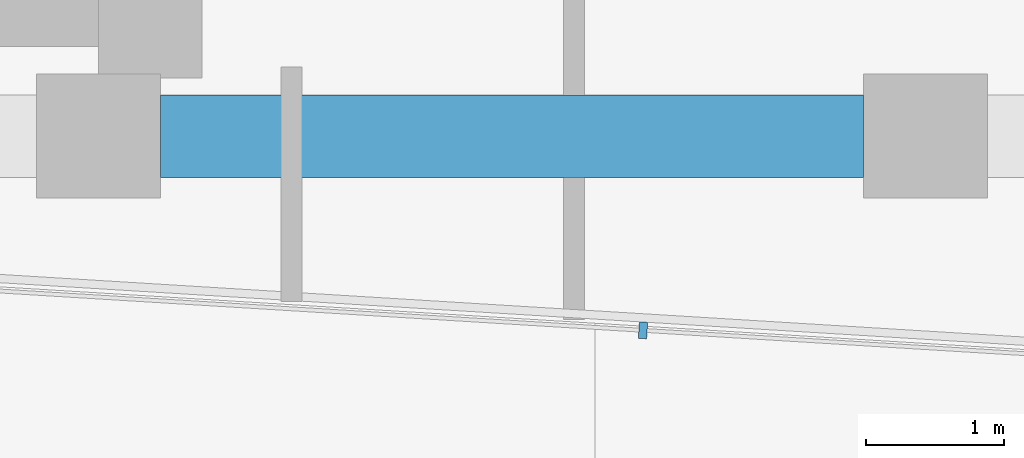
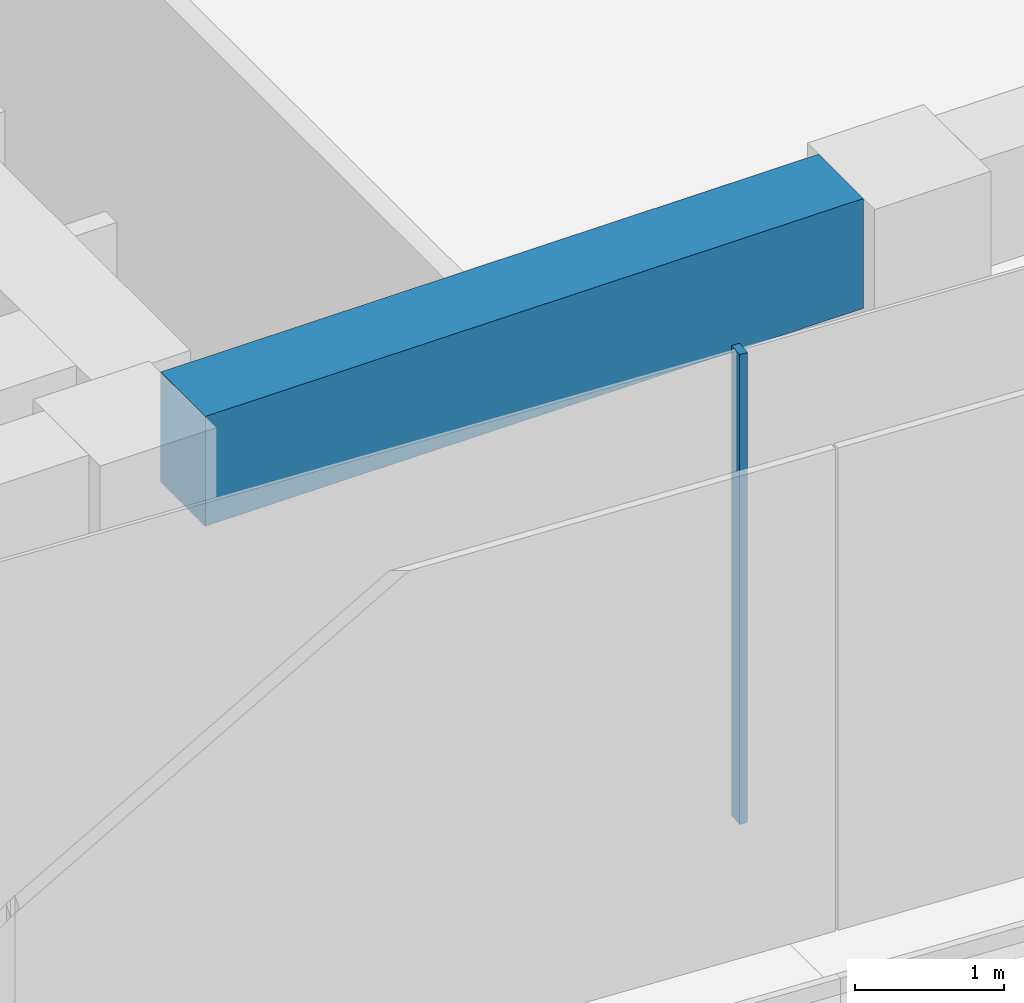
# One storey, part 3 of 24: 1 beam, 1 member, 1 element without a shape of its own.
"""IFC4 building model written with IfcOpenShell, lengths in metres."""

from ifc_helpers import new_model, si_unit, direction, frame, origin, origin_2d, place, context, subcontext, project, spatial, rectangle, extrude, material, layer, layer_set, material_profile, profile_set, type_object, element, aggregate, save


model = new_model("IFC4")

# Units and contexts
model_context = context("Model", 3, precision=1e-05, world=origin(), true_north=direction((0.0, 1.0)))
body_context = subcontext(model_context, "Body", "Model", "MODEL_VIEW")
ifc_project = project(units=[si_unit("LENGTHUNIT", "METRE"), si_unit("AREAUNIT", "SQUARE_METRE"), si_unit("VOLUMEUNIT", "CUBIC_METRE"), si_unit("PLANEANGLEUNIT", "RADIAN"), si_unit("MASSUNIT", "GRAM", prefix="KILO")], contexts=[model_context])

# Site, building, storey
site_placement = place(None, origin())
site = spatial("IfcSite", under=ifc_project, at=site_placement, CompositionType="ELEMENT")
building_placement = place(site_placement, origin())
building = spatial("IfcBuilding", under=site, at=building_placement, Name="Welwitschia Terrace Campus", CompositionType="ELEMENT")
storey_placement = place(building_placement, frame((0.0, 0.0, 125.60009765625)))
storey = spatial("IfcBuildingStorey", under=building, at=storey_placement, Name="L28", CompositionType="ELEMENT", Elevation=125.60009765625)

# Curtain wall, member
ifc_material_1 = material(Name="Bronze anodised aluminium", Category="aluminium")
ifc_layer = layer(ifc_material_1, 0.1201171875)
ifc_layer_set = layer_set([ifc_layer], Name="Bronze anodised aluminium")
curtain_wall_type = type_object("IfcCurtainWallType", Name="Curtain wall CW2 tower 6000", PredefinedType="NOTDEFINED", material=ifc_layer_set)
curtain_wall_placement = place(storey_placement, origin())
curtain_wall = element("IfcCurtainWall", 1, at=curtain_wall_placement, inside=storey, type_object=curtain_wall_type, Name="CW L28.3.0", PredefinedType="NOTDEFINED")
ifc_material_2 = material(Name="Bronze anodised aluminium", Category="aluminium")
ifc_material_profile_1 = material_profile(ifc_material_2, rectangle(XDim=0.1201171875, YDim=0.06005859375, at=origin_2d()))
ifc_profile_set_1 = profile_set([ifc_material_profile_1], Name="Bronze anodised aluminium")
member_type = type_object("IfcMemberType", Name="Mullion 60x120", PredefinedType="MULLION", material=ifc_profile_set_1)
member_placement = place(storey_placement, frame((27.950439453125, 2.591064453125, 0.0), z_axis=(0.0, 0.0, 1.0), x_axis=(0.061048539535, 0.998134798422, 0.0)))
member = element("IfcMember", 2, at=member_placement, type_object=member_type, Name="Mullion L28.3.0.1", PredefinedType="MULLION", context=body_context, shape_type="SweptSolid", body=[
    extrude(rectangle(XDim=0.1201171875, YDim=0.06005859375, at=origin_2d()), origin(), (0.0, 0.0, 1.0), 3.849853515625),
])
aggregate(curtain_wall, [member])

# Beam
ifc_material_3 = material(Name="Concrete C60/75", Category="concrete")
ifc_material_profile_2 = material_profile(ifc_material_3, rectangle(XDim=0.60009765625, YDim=0.89990234375, at=origin_2d()))
ifc_profile_set_2 = profile_set([ifc_material_profile_2], Name="Concrete C60/75")
beam_type = type_object("IfcBeamType", Name="Ring spandrel 600x900", PredefinedType="SPANDREL", material=ifc_profile_set_2)
beam_placement = place(storey_placement, frame((24.450439453125, 4.0, 3.39990234375), z_axis=(1.0, 0.0, 0.0), x_axis=(0.0, 1.0, 0.0)))
element("IfcBeam", 3, at=beam_placement, inside=storey, type_object=beam_type, Name="Spandrel SP2", PredefinedType="SPANDREL", context=body_context, shape_type="SweptSolid", body=[
    extrude(rectangle(XDim=0.60009765625, YDim=0.89990234375, at=origin_2d()), origin(), (0.0, 0.0, 1.0), 5.09912109375),
])

save(model, "model.ifc")
